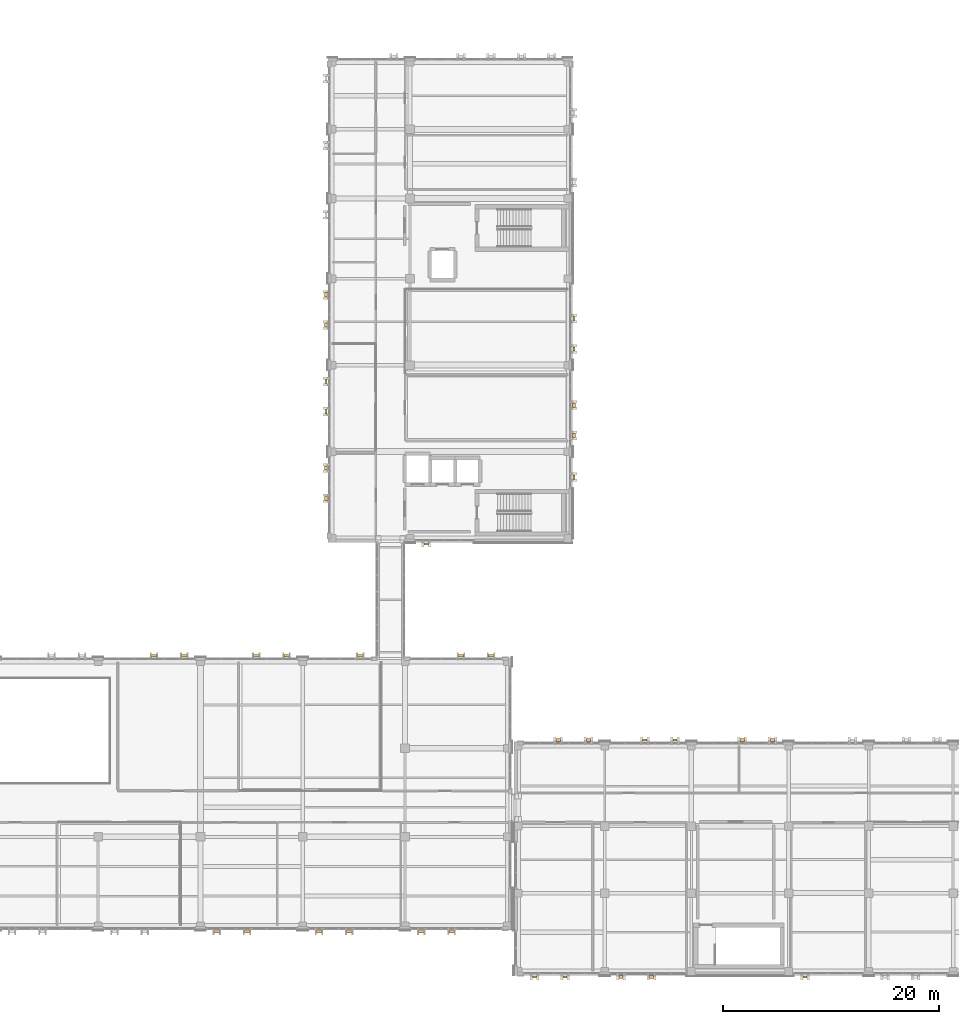
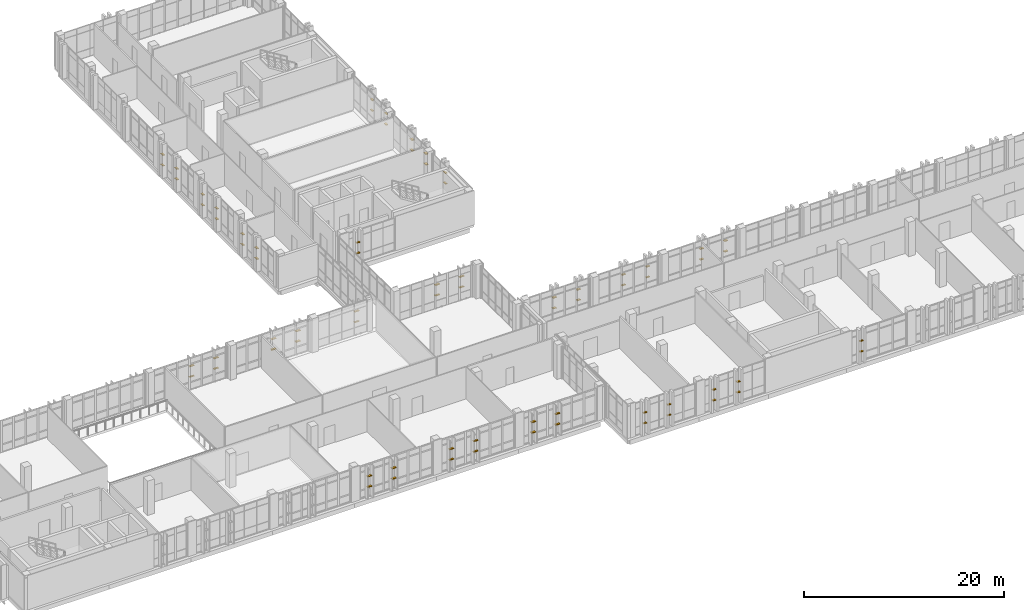
# One storey, part 190 of 193: 72 shading devices.
"""IFC4 building model written with IfcOpenShell, lengths in metres."""

from ifc_helpers import new_model, si_unit, direction, frame, origin, origin_2d, place, context, subcontext, project, spatial, rectangle, extrude, material, type_object, element, save


model = new_model("IFC4")

# Units and contexts
model_context = context("Model", 3, precision=1e-05, world=origin(), true_north=direction((0.0, 1.0)))
body_context = subcontext(model_context, "Body", "Model", "MODEL_VIEW")
ifc_project = project(units=[si_unit("LENGTHUNIT", "METRE"), si_unit("AREAUNIT", "SQUARE_METRE"), si_unit("VOLUMEUNIT", "CUBIC_METRE"), si_unit("PLANEANGLEUNIT", "RADIAN"), si_unit("MASSUNIT", "GRAM", prefix="KILO")], contexts=[model_context])

# Site, building, storey
site_placement = place(None, origin())
site = spatial("IfcSite", under=ifc_project, at=site_placement, CompositionType="ELEMENT")
building_placement = place(site_placement, origin())
building = spatial("IfcBuilding", under=site, at=building_placement, Name="Qalavern Law Courts", CompositionType="ELEMENT")
storey_placement = place(building_placement, frame((0.0, 0.0, 10.199951171875)))
storey = spatial("IfcBuildingStorey", under=building, at=storey_placement, Name="L02", CompositionType="ELEMENT", Elevation=10.199951171875)

# Shading devices
ifc_material = material(Name="Anodised aluminium", Category="aluminium")
shading_device_type_1 = type_object("IfcShadingDeviceType", Name="ENV-LOUV-1", PredefinedType="JALOUSIE", material=ifc_material)
for number, where, z_axis, x_axis, name in (
    (1, (83.391357421875, 5.044921875, 1.34033203125), (0.0, 0.0, 1.0), (1.0, 0.0, 0.0), "Horizontal sun louvre V2-L02-0-1"),
    (2, (83.391357421875, 5.044921875, 2.63232421875), (0.0, 0.0, 1.0), (1.0, 0.0, 0.0), "Horizontal sun louvre V2-L02-0-2"),
    (3, (86.19140625, 5.044921875, 1.34033203125), (0.0, 0.0, 1.0), (1.0, 0.0, 0.0), "Horizontal sun louvre V2-L02-1-1"),
    (4, (86.19140625, 5.044921875, 2.63232421875), (0.0, 0.0, 1.0), (1.0, 0.0, 0.0), "Horizontal sun louvre V2-L02-1-2"),
    (5, (99.300048828125, 30.554931640625, 1.34033203125), (0.0, 0.0, 1.0), (-1.0, 0.0, 0.0), "Horizontal sun louvre V2-L02-0-1"),
    (6, (99.300048828125, 30.554931640625, 2.63232421875), (0.0, 0.0, 1.0), (-1.0, 0.0, 0.0), "Horizontal sun louvre V2-L02-0-2"),
    (7, (96.5, 30.554931640625, 1.34033203125), (0.0, 0.0, 1.0), (-1.0, 0.0, 0.0), "Horizontal sun louvre V2-L02-1-1"),
    (8, (96.5, 30.554931640625, 2.63232421875), (0.0, 0.0, 1.0), (-1.0, 0.0, 0.0), "Horizontal sun louvre V2-L02-1-2"),
    (9, (87.199951171875, 30.554931640625, 1.34033203125), (0.0, 0.0, 1.0), (-1.0, 0.0, 0.0), "Horizontal sun louvre V2-L02-0-1"),
    (10, (87.199951171875, 30.554931640625, 2.63232421875), (0.0, 0.0, 1.0), (-1.0, 0.0, 0.0), "Horizontal sun louvre V2-L02-0-2"),
    (11, (70.93701171875, 30.554931640625, 1.34033203125), (0.0, 0.0, 1.0), (-1.0, 0.0, 0.0), "Horizontal sun louvre V2-L02-0-1"),
    (12, (70.93701171875, 30.554931640625, 2.63232421875), (0.0, 0.0, 1.0), (-1.0, 0.0, 0.0), "Horizontal sun louvre V2-L02-0-2"),
    (13, (68.13720703125, 30.554931640625, 1.34033203125), (0.0, 0.0, 1.0), (-1.0, 0.0, 0.0), "Horizontal sun louvre V2-L02-1-1"),
    (14, (68.13720703125, 30.554931640625, 2.63232421875), (0.0, 0.0, 1.0), (-1.0, 0.0, 0.0), "Horizontal sun louvre V2-L02-1-2"),
):
    element("IfcShadingDevice", number, at=place(storey_placement, frame(where, z_axis=z_axis, x_axis=x_axis)), inside=storey, type_object=shading_device_type_1, Name=name, PredefinedType="JALOUSIE", context=body_context, shape_type="SweptSolid", body=[
        extrude(rectangle(XDim=0.514892578125, YDim=0.2099609375, at=origin_2d()), origin(), (0.0, 0.0, 1.0), 0.06005859375),
    ])
for number, where, z_axis, x_axis, name in (
    (15, (93.300048828125, 40.864990234375, 1.34033203125), (0.0, 0.0, 1.0), (1.0, 0.0, 0.0), "Horizontal sun louvre V4-L02-0-1"),
    (16, (93.300048828125, 40.864990234375, 2.63232421875), (0.0, 0.0, 1.0), (1.0, 0.0, 0.0), "Horizontal sun louvre V4-L02-0-2"),
    (17, (106.955078125, 47.050048828125, 1.34033203125), (0.0, 0.0, 1.0), (0.0, 1.0, 0.0), "Horizontal sun louvre V4-L02-0-1"),
    (18, (106.955078125, 47.050048828125, 2.63232421875), (0.0, 0.0, 1.0), (0.0, 1.0, 0.0), "Horizontal sun louvre V4-L02-0-2"),
    (19, (106.955078125, 58.89990234375, 1.34033203125), (0.0, 0.0, 1.0), (0.0, 1.0, 0.0), "Horizontal sun louvre V4-L02-0-1"),
    (20, (106.955078125, 58.89990234375, 2.63232421875), (0.0, 0.0, 1.0), (0.0, 1.0, 0.0), "Horizontal sun louvre V4-L02-0-2"),
    (21, (106.955078125, 61.699951171875, 1.34033203125), (0.0, 0.0, 1.0), (0.0, 1.0, 0.0), "Horizontal sun louvre V4-L02-1-1"),
    (22, (106.955078125, 61.699951171875, 2.63232421875), (0.0, 0.0, 1.0), (0.0, 1.0, 0.0), "Horizontal sun louvre V4-L02-1-2"),
    (23, (84.044921875, 55.89990234375, 1.34033203125), (0.0, 0.0, 1.0), (0.0, -1.0, 0.0), "Horizontal sun louvre V4-L02-0-1"),
    (24, (84.044921875, 55.89990234375, 2.63232421875), (0.0, 0.0, 1.0), (0.0, -1.0, 0.0), "Horizontal sun louvre V4-L02-0-2"),
    (25, (84.044921875, 53.10009765625, 1.34033203125), (0.0, 0.0, 1.0), (0.0, -1.0, 0.0), "Horizontal sun louvre V4-L02-1-1"),
    (26, (84.044921875, 53.10009765625, 2.63232421875), (0.0, 0.0, 1.0), (0.0, -1.0, 0.0), "Horizontal sun louvre V4-L02-1-2"),
    (27, (103.320068359375, 0.844970703125, 1.34033203125), (0.0, 0.0, 1.0), (1.0, 0.0, 0.0), "Horizontal sun louvre V6-L02-0-1"),
    (28, (103.320068359375, 0.844970703125, 2.63232421875), (0.0, 0.0, 1.0), (1.0, 0.0, 0.0), "Horizontal sun louvre V6-L02-0-2"),
    (29, (106.1201171875, 0.844970703125, 1.34033203125), (0.0, 0.0, 1.0), (1.0, 0.0, 0.0), "Horizontal sun louvre V6-L02-1-1"),
    (30, (106.1201171875, 0.844970703125, 2.63232421875), (0.0, 0.0, 1.0), (1.0, 0.0, 0.0), "Horizontal sun louvre V6-L02-1-2"),
    (31, (128.300048828125, 0.844970703125, 1.34033203125), (0.0, 0.0, 1.0), (1.0, 0.0, 0.0), "Horizontal sun louvre V6-L02-0-1"),
    (32, (128.300048828125, 0.844970703125, 2.63232421875), (0.0, 0.0, 1.0), (1.0, 0.0, 0.0), "Horizontal sun louvre V6-L02-0-2"),
    (33, (116.300048828125, 22.7548828125, 1.34033203125), (0.0, 0.0, 1.0), (-1.0, 0.0, 0.0), "Horizontal sun louvre V6-L02-0-1"),
    (34, (116.300048828125, 22.7548828125, 2.63232421875), (0.0, 0.0, 1.0), (-1.0, 0.0, 0.0), "Horizontal sun louvre V6-L02-0-2"),
    (35, (113.5, 22.7548828125, 1.34033203125), (0.0, 0.0, 1.0), (-1.0, 0.0, 0.0), "Horizontal sun louvre V6-L02-1-1"),
    (36, (113.5, 22.7548828125, 2.63232421875), (0.0, 0.0, 1.0), (-1.0, 0.0, 0.0), "Horizontal sun louvre V6-L02-1-2"),
):
    element("IfcShadingDevice", number, at=place(storey_placement, frame(where, z_axis=z_axis, x_axis=x_axis)), inside=storey, type_object=shading_device_type_1, Name=name, PredefinedType="JALOUSIE", context=body_context, shape_type="SweptSolid", body=[
        extrude(rectangle(XDim=0.389892578125, YDim=0.2099609375, at=origin_2d()), origin(), (0.0, 0.0, 1.0), 0.06005859375),
    ])
shading_device_type_2 = type_object("IfcShadingDeviceType", Name="ENV-LOUV-2", PredefinedType="JALOUSIE", material=ifc_material)
for number, where, z_axis, x_axis, name in (
    (37, (73.93701171875, 5.044921875, 1.34033203125), (0.0, 0.0, 1.0), (1.0, 0.0, 0.0), "Horizontal sun louvre V2-L02-0-1"),
    (38, (73.93701171875, 5.044921875, 2.63232421875), (0.0, 0.0, 1.0), (1.0, 0.0, 0.0), "Horizontal sun louvre V2-L02-0-2"),
    (39, (76.737060546875, 5.044921875, 1.34033203125), (0.0, 0.0, 1.0), (1.0, 0.0, 0.0), "Horizontal sun louvre V2-L02-1-1"),
    (40, (76.737060546875, 5.044921875, 2.63232421875), (0.0, 0.0, 1.0), (1.0, 0.0, 0.0), "Horizontal sun louvre V2-L02-1-2"),
    (41, (92.845703125, 5.044921875, 1.34033203125), (0.0, 0.0, 1.0), (1.0, 0.0, 0.0), "Horizontal sun louvre V2-L02-0-1"),
    (42, (92.845703125, 5.044921875, 2.63232421875), (0.0, 0.0, 1.0), (1.0, 0.0, 0.0), "Horizontal sun louvre V2-L02-0-2"),
    (43, (95.645751953125, 5.044921875, 1.34033203125), (0.0, 0.0, 1.0), (1.0, 0.0, 0.0), "Horizontal sun louvre V2-L02-1-1"),
    (44, (95.645751953125, 5.044921875, 2.63232421875), (0.0, 0.0, 1.0), (1.0, 0.0, 0.0), "Horizontal sun louvre V2-L02-1-2"),
    (45, (80.391357421875, 30.554931640625, 1.34033203125), (0.0, 0.0, 1.0), (-1.0, 0.0, 0.0), "Horizontal sun louvre V2-L02-0-1"),
    (46, (80.391357421875, 30.554931640625, 2.63232421875), (0.0, 0.0, 1.0), (-1.0, 0.0, 0.0), "Horizontal sun louvre V2-L02-0-2"),
    (47, (77.59130859375, 30.554931640625, 1.34033203125), (0.0, 0.0, 1.0), (-1.0, 0.0, 0.0), "Horizontal sun louvre V2-L02-1-1"),
    (48, (77.59130859375, 30.554931640625, 2.63232421875), (0.0, 0.0, 1.0), (-1.0, 0.0, 0.0), "Horizontal sun louvre V2-L02-1-2"),
):
    element("IfcShadingDevice", number, at=place(storey_placement, frame(where, z_axis=z_axis, x_axis=x_axis)), inside=storey, type_object=shading_device_type_2, Name=name, PredefinedType="JALOUSIE", context=body_context, shape_type="SweptSolid", body=[
        extrude(rectangle(XDim=0.514892578125, YDim=0.25, at=origin_2d()), origin(), (0.0, 0.0, 1.0), 0.06005859375),
    ])
for number, where, z_axis, x_axis, name in (
    (49, (106.955078125, 50.89990234375, 1.34033203125), (0.0, 0.0, 1.0), (0.0, 1.0, 0.0), "Horizontal sun louvre V4-L02-0-1"),
    (50, (106.955078125, 50.89990234375, 2.63232421875), (0.0, 0.0, 1.0), (0.0, 1.0, 0.0), "Horizontal sun louvre V4-L02-0-2"),
    (51, (106.955078125, 53.699951171875, 1.34033203125), (0.0, 0.0, 1.0), (0.0, 1.0, 0.0), "Horizontal sun louvre V4-L02-1-1"),
    (52, (106.955078125, 53.699951171875, 2.63232421875), (0.0, 0.0, 1.0), (0.0, 1.0, 0.0), "Horizontal sun louvre V4-L02-1-2"),
    (53, (84.044921875, 63.89990234375, 1.34033203125), (0.0, 0.0, 1.0), (0.0, -1.0, 0.0), "Horizontal sun louvre V4-L02-0-1"),
    (54, (84.044921875, 63.89990234375, 2.63232421875), (0.0, 0.0, 1.0), (0.0, -1.0, 0.0), "Horizontal sun louvre V4-L02-0-2"),
    (55, (84.044921875, 61.10009765625, 1.34033203125), (0.0, 0.0, 1.0), (0.0, -1.0, 0.0), "Horizontal sun louvre V4-L02-1-1"),
    (56, (84.044921875, 61.10009765625, 2.63232421875), (0.0, 0.0, 1.0), (0.0, -1.0, 0.0), "Horizontal sun louvre V4-L02-1-2"),
    (57, (84.044921875, 47.89990234375, 1.34033203125), (0.0, 0.0, 1.0), (0.0, -1.0, 0.0), "Horizontal sun louvre V4-L02-0-1"),
    (58, (84.044921875, 47.89990234375, 2.63232421875), (0.0, 0.0, 1.0), (0.0, -1.0, 0.0), "Horizontal sun louvre V4-L02-0-2"),
    (59, (84.044921875, 45.10009765625, 1.34033203125), (0.0, 0.0, 1.0), (0.0, -1.0, 0.0), "Horizontal sun louvre V4-L02-1-1"),
    (60, (84.044921875, 45.10009765625, 2.63232421875), (0.0, 0.0, 1.0), (0.0, -1.0, 0.0), "Horizontal sun louvre V4-L02-1-2"),
    (61, (111.300048828125, 0.844970703125, 1.34033203125), (0.0, 0.0, 1.0), (1.0, 0.0, 0.0), "Horizontal sun louvre V6-L02-0-1"),
    (62, (111.300048828125, 0.844970703125, 2.63232421875), (0.0, 0.0, 1.0), (1.0, 0.0, 0.0), "Horizontal sun louvre V6-L02-0-2"),
    (63, (114.10009765625, 0.844970703125, 1.34033203125), (0.0, 0.0, 1.0), (1.0, 0.0, 0.0), "Horizontal sun louvre V6-L02-1-1"),
    (64, (114.10009765625, 0.844970703125, 2.63232421875), (0.0, 0.0, 1.0), (1.0, 0.0, 0.0), "Horizontal sun louvre V6-L02-1-2"),
    (65, (125.300048828125, 22.7548828125, 1.34033203125), (0.0, 0.0, 1.0), (-1.0, 0.0, 0.0), "Horizontal sun louvre V6-L02-0-1"),
    (66, (125.300048828125, 22.7548828125, 2.63232421875), (0.0, 0.0, 1.0), (-1.0, 0.0, 0.0), "Horizontal sun louvre V6-L02-0-2"),
    (67, (122.5, 22.7548828125, 1.34033203125), (0.0, 0.0, 1.0), (-1.0, 0.0, 0.0), "Horizontal sun louvre V6-L02-1-1"),
    (68, (122.5, 22.7548828125, 2.63232421875), (0.0, 0.0, 1.0), (-1.0, 0.0, 0.0), "Horizontal sun louvre V6-L02-1-2"),
    (69, (108.300048828125, 22.7548828125, 1.34033203125), (0.0, 0.0, 1.0), (-1.0, 0.0, 0.0), "Horizontal sun louvre V6-L02-0-1"),
    (70, (108.300048828125, 22.7548828125, 2.63232421875), (0.0, 0.0, 1.0), (-1.0, 0.0, 0.0), "Horizontal sun louvre V6-L02-0-2"),
    (71, (105.5, 22.7548828125, 1.34033203125), (0.0, 0.0, 1.0), (-1.0, 0.0, 0.0), "Horizontal sun louvre V6-L02-1-1"),
    (72, (105.5, 22.7548828125, 2.63232421875), (0.0, 0.0, 1.0), (-1.0, 0.0, 0.0), "Horizontal sun louvre V6-L02-1-2"),
):
    element("IfcShadingDevice", number, at=place(storey_placement, frame(where, z_axis=z_axis, x_axis=x_axis)), inside=storey, type_object=shading_device_type_2, Name=name, PredefinedType="JALOUSIE", context=body_context, shape_type="SweptSolid", body=[
        extrude(rectangle(XDim=0.389892578125, YDim=0.25, at=origin_2d()), origin(), (0.0, 0.0, 1.0), 0.06005859375),
    ])

save(model, "model.ifc")
